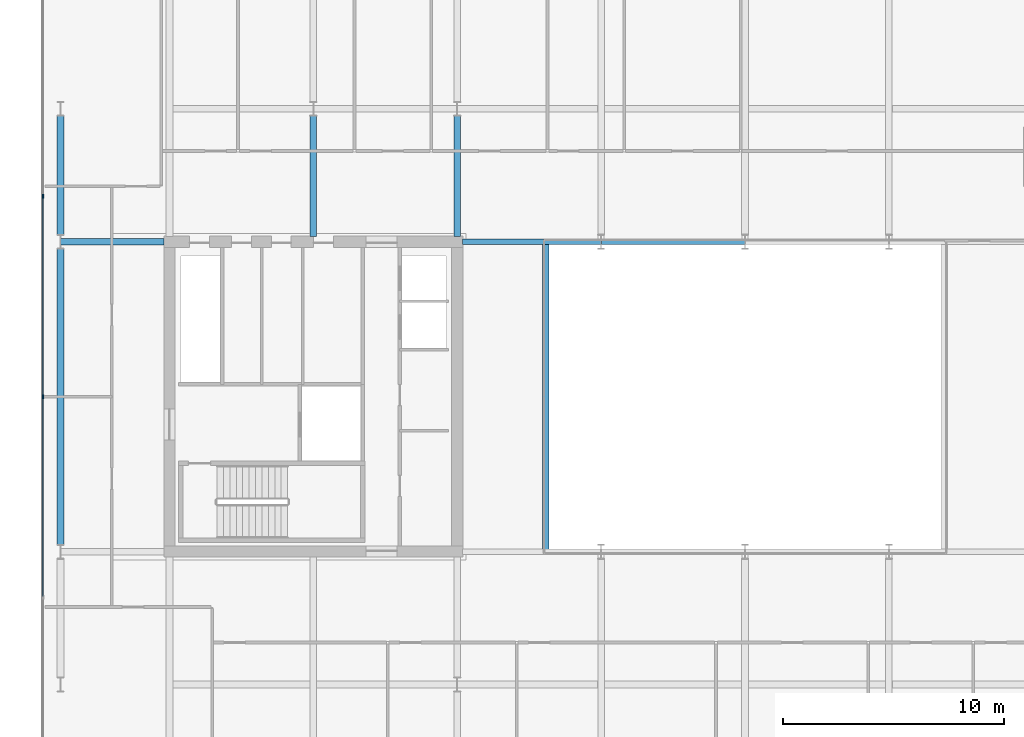
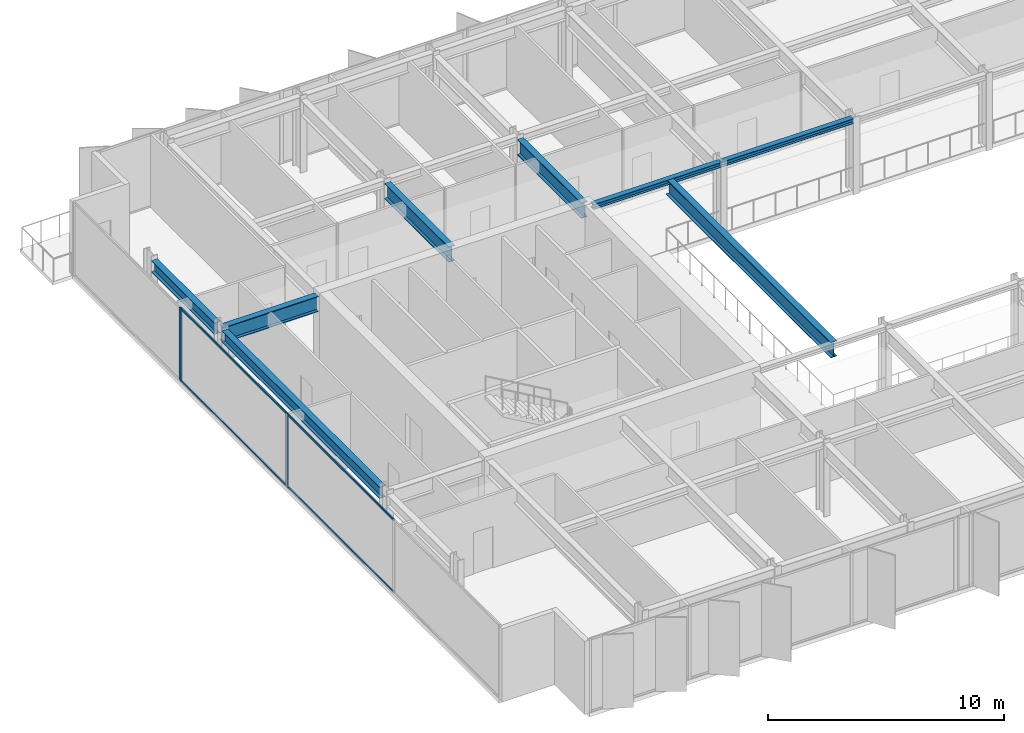
# One storey, part 5 of 21: 8 beams, 6 members, 1 element without a shape of its own.
"""IFC4 building model written with IfcOpenShell, lengths in metres."""

from ifc_helpers import new_model, si_unit, direction, frame, origin, origin_2d, place, context, subcontext, project, spatial, rectangle, i_section, extrude, material, layer, layer_set, material_profile, profile_set, type_object, element, aggregate, save


model = new_model("IFC4")

# Units and contexts
model_context = context("Model", 3, precision=1e-05, world=origin(), true_north=direction((0.0, 1.0)))
body_context = subcontext(model_context, "Body", "Model", "MODEL_VIEW")
ifc_project = project(units=[si_unit("LENGTHUNIT", "METRE"), si_unit("AREAUNIT", "SQUARE_METRE"), si_unit("VOLUMEUNIT", "CUBIC_METRE"), si_unit("PLANEANGLEUNIT", "RADIAN"), si_unit("MASSUNIT", "GRAM", prefix="KILO")], contexts=[model_context])

# Site, building, storey
site_placement = place(None, origin())
site = spatial("IfcSite", under=ifc_project, at=site_placement, CompositionType="ELEMENT")
building_placement = place(site_placement, origin())
building = spatial("IfcBuilding", under=site, at=building_placement, Name="Putna Gate Headquarters", CompositionType="ELEMENT")
storey_placement = place(building_placement, frame((0.0, 0.0, 278.39990234375)))
storey = spatial("IfcBuildingStorey", under=building, at=storey_placement, Name="L70", CompositionType="ELEMENT", Elevation=278.39990234375)

# Beams
ifc_material_1 = material(Name="Steel S355J2", Category="steel")
ifc_material_profile_1 = material_profile(ifc_material_1, i_section(OverallWidth=0.260009765625, OverallDepth=0.260009765625, WebThickness=0.010009765625, FlangeThickness=0.017578125, at=origin_2d()), Name="Steel S355J2")
ifc_profile_set_1 = profile_set([ifc_material_profile_1], Name="Steel S355J2")
beam_type_1 = type_object("IfcBeamType", Name="BM-ATRIUM-HEB260", PredefinedType="BEAM", material=ifc_profile_set_1)
beam_1_placement = place(storey_placement, frame((26.235107421875, 33.0, 3.658203125), z_axis=(1.0, 0.0, 0.0), x_axis=(0.0, 1.0, 0.0)))
element("IfcBeam", 1, at=beam_1_placement, inside=storey, type_object=beam_type_1, Name="L70 Atrium Edge Beam AN1", PredefinedType="BEAM", context=body_context, shape_type="SweptSolid", body=[
    extrude(i_section(OverallWidth=0.260009765625, OverallDepth=0.260009765625, WebThickness=0.010009765625, FlangeThickness=0.017578125, at=origin_2d()), origin(), (0.0, 0.0, 1.0), 6.2587890625),
])
beam_2_placement = place(storey_placement, frame((32.506103515625, 33.0, 3.658203125), z_axis=(1.0, 0.0, 0.0), x_axis=(0.0, 1.0, 0.0)))
element("IfcBeam", 2, at=beam_2_placement, inside=storey, type_object=beam_type_1, Name="L70 Atrium Edge Beam AN2", PredefinedType="BEAM", context=body_context, shape_type="SweptSolid", body=[
    extrude(i_section(OverallWidth=0.260009765625, OverallDepth=0.260009765625, WebThickness=0.010009765625, FlangeThickness=0.017578125, at=origin_2d()), origin(), (0.0, 0.0, 1.0), 6.48779296875),
])
ifc_material_profile_2 = material_profile(ifc_material_1, i_section(OverallWidth=0.300048828125, OverallDepth=0.800048828125, WebThickness=0.017578125, FlangeThickness=0.032958984375, at=origin_2d()), Name="Steel S355J2")
ifc_profile_set_2 = profile_set([ifc_material_profile_2], Name="Steel S355J2")
beam_type_2 = type_object("IfcBeamType", Name="BM-GIRD-P-HEB800", PredefinedType="USERDEFINED", material=ifc_profile_set_2)
beam_3_placement = place(storey_placement, frame((8.0859375, 33.0, 3.38818359375), z_axis=(1.0, 0.0, 0.0), x_axis=(0.0, 1.0, 0.0)))
element("IfcBeam", 3, at=beam_3_placement, inside=storey, type_object=beam_type_2, Name="L70 West Wing Girder Y33", ObjectType="GIRDER", PredefinedType="USERDEFINED", context=body_context, shape_type="SweptSolid", body=[
    extrude(i_section(OverallWidth=0.300048828125, OverallDepth=0.800048828125, WebThickness=0.017578125, FlangeThickness=0.032958984375, at=origin_2d()), origin(), (0.0, 0.0, 1.0), 4.678955078125),
])
for number, where, z_axis, x_axis, name in (
    (4, (19.5, 33.235107421875, 3.38818359375), (0.0, 1.0, 0.0), (-1.0, 0.0, 0.0), "L70 North Primary Girder X19-1"),
    (5, (26.0, 33.235107421875, 3.38818359375), (0.0, 1.0, 0.0), (-1.0, 0.0, 0.0), "L70 North Primary Girder X26-1"),
):
    element("IfcBeam", number, at=place(storey_placement, frame(where, z_axis=z_axis, x_axis=x_axis)), inside=storey, type_object=beam_type_2, Name=name, ObjectType="GIRDER", PredefinedType="USERDEFINED", context=body_context, shape_type="SweptSolid", body=[
        extrude(i_section(OverallWidth=0.300048828125, OverallDepth=0.800048828125, WebThickness=0.017578125, FlangeThickness=0.032958984375, at=origin_2d()), origin(), (0.0, 0.0, 1.0), 5.44287109375),
    ])
beam_4_placement = place(storey_placement, frame((30.0, 19.010009765625, 3.38818359375), z_axis=(0.0, 1.0, 0.0), x_axis=(-1.0, 0.0, 0.0)))
element("IfcBeam", 6, at=beam_4_placement, inside=storey, type_object=beam_type_2, Name="L70 Atrium Trim Girder AW", ObjectType="GIRDER", PredefinedType="USERDEFINED", context=body_context, shape_type="SweptSolid", body=[
    extrude(i_section(OverallWidth=0.300048828125, OverallDepth=0.800048828125, WebThickness=0.017578125, FlangeThickness=0.032958984375, at=origin_2d()), origin(), (0.0, 0.0, 1.0), 13.97998046875),
])
ifc_material_profile_3 = material_profile(ifc_material_1, i_section(OverallWidth=0.300048828125, OverallDepth=0.590087890625, WebThickness=0.012939453125, FlangeThickness=0.02490234375, at=origin_2d()), Name="Steel S355J2")
ifc_profile_set_3 = profile_set([ifc_material_profile_3], Name="Steel S355J2")
beam_type_3 = type_object("IfcBeamType", Name="BM-SPAN-Z4-HEA600", PredefinedType="SPANDREL", material=ifc_profile_set_3)
beam_5_placement = place(storey_placement, frame((8.080078125, 19.322021484375, 3.4931640625), z_axis=(0.0, 1.0, 0.0), x_axis=(-1.0, 0.0, 0.0)))
element("IfcBeam", 7, at=beam_5_placement, inside=storey, type_object=beam_type_3, Name="L70 W End Spandrel 2", PredefinedType="SPANDREL", context=body_context, shape_type="SweptSolid", body=[
    extrude(i_section(OverallWidth=0.300048828125, OverallDepth=0.590087890625, WebThickness=0.012939453125, FlangeThickness=0.02490234375, at=origin_2d()), origin(), (0.0, 0.0, 1.0), 13.35595703125),
])
beam_6_placement = place(storey_placement, frame((8.080078125, 33.322021484375, 3.4931640625), z_axis=(0.0, 1.0, 0.0), x_axis=(-1.0, 0.0, 0.0)))
element("IfcBeam", 8, at=beam_6_placement, inside=storey, type_object=beam_type_3, Name="L70 W End Spandrel 3", PredefinedType="SPANDREL", context=body_context, shape_type="SweptSolid", body=[
    extrude(i_section(OverallWidth=0.300048828125, OverallDepth=0.590087890625, WebThickness=0.012939453125, FlangeThickness=0.02490234375, at=origin_2d()), origin(), (0.0, 0.0, 1.0), 5.35595703125),
])

# Curtain wall, members
ifc_material_2 = material(Name="Anodised bronze aluminium curtain wall", Category="aluminium")
ifc_layer = layer(ifc_material_2, 0.179931640625)
ifc_layer_set = layer_set([ifc_layer], Name="Anodised bronze aluminium curtain wall")
curtain_wall_type = type_object("IfcCurtainWallType", Name="CW-SYS-Z5", PredefinedType="USERDEFINED", material=ifc_layer_set)
curtain_wall_placement = place(storey_placement, origin())
curtain_wall = element("IfcCurtainWall", 9, at=curtain_wall_placement, inside=storey, type_object=curtain_wall_type, Name="L70 West Curtain Wall", ObjectType="STICK CURTAIN WALL", PredefinedType="USERDEFINED")
ifc_material_3 = material(Name="Anodised bronze aluminium EN AW-6060", Category="aluminium")
ifc_material_profile_4 = material_profile(ifc_material_3, rectangle(XDim=0.070068359375, YDim=0.179931640625, at=origin_2d()), Name="Anodised bronze aluminium EN AW-6060")
ifc_profile_set_4 = profile_set([ifc_material_profile_4], Name="Anodised bronze aluminium EN AW-6060")
member_type_1 = type_object("IfcMemberType", Name="MULL-CWM-5", PredefinedType="MULLION", material=ifc_profile_set_4)
member_1_placement = place(storey_placement, frame((7.280029296875, 26.0, 0.0), z_axis=(0.0, 0.0, 1.0), x_axis=(-1.0, 0.0, 0.0)))
member_1 = element("IfcMember", 10, at=member_1_placement, type_object=member_type_1, Name="CWS-5 mullion 3", PredefinedType="MULLION", context=body_context, shape_type="SweptSolid", body=[
    extrude(rectangle(XDim=0.070068359375, YDim=0.179931640625, at=origin_2d()), origin(), (0.0, 0.0, 1.0), 3.7880859375),
])
member_2_placement = place(storey_placement, frame((7.280029296875, 35.050048828125, 0.0), z_axis=(0.0, 0.0, 1.0), x_axis=(-1.0, 0.0, 0.0)))
member_2 = element("IfcMember", 11, at=member_2_placement, type_object=member_type_1, Name="CWS-5 mullion 4", PredefinedType="MULLION", context=body_context, shape_type="SweptSolid", body=[
    extrude(rectangle(XDim=0.070068359375, YDim=0.179931640625, at=origin_2d()), origin(), (0.0, 0.0, 1.0), 3.7880859375),
])
ifc_material_profile_5 = material_profile(ifc_material_3, rectangle(XDim=0.06005859375, YDim=0.10009765625, at=origin_2d()), Name="Anodised bronze aluminium EN AW-6060")
ifc_profile_set_5 = profile_set([ifc_material_profile_5], Name="Anodised bronze aluminium EN AW-6060")
member_type_2 = type_object("IfcMemberType", Name="TRAN-CWT-5", PredefinedType="USERDEFINED", material=ifc_profile_set_5)
member_3_placement = place(storey_placement, frame((7.280029296875, 16.985107421875, 0.030029296875), z_axis=(0.0, 1.0, 0.0), x_axis=(-1.0, 0.0, 0.0)))
member_3 = element("IfcMember", 12, at=member_3_placement, type_object=member_type_2, Name="CWS-5 transom 2.1", ObjectType="TRANSOM", PredefinedType="USERDEFINED", context=body_context, shape_type="SweptSolid", body=[
    extrude(rectangle(XDim=0.06005859375, YDim=0.10009765625, at=origin_2d()), origin(), (0.0, 0.0, 1.0), 8.97998046875),
])
member_4_placement = place(storey_placement, frame((7.280029296875, 16.985107421875, 3.758056640625), z_axis=(0.0, 1.0, 0.0), x_axis=(-1.0, 0.0, 0.0)))
member_4 = element("IfcMember", 13, at=member_4_placement, type_object=member_type_2, Name="CWS-5 transom 2.2", ObjectType="TRANSOM", PredefinedType="USERDEFINED", context=body_context, shape_type="SweptSolid", body=[
    extrude(rectangle(XDim=0.06005859375, YDim=0.10009765625, at=origin_2d()), origin(), (0.0, 0.0, 1.0), 8.97998046875),
])
member_5_placement = place(storey_placement, frame((7.280029296875, 26.034912109375, 0.030029296875), z_axis=(0.0, 1.0, 0.0), x_axis=(-1.0, 0.0, 0.0)))
member_5 = element("IfcMember", 14, at=member_5_placement, type_object=member_type_2, Name="CWS-5 transom 3.1", ObjectType="TRANSOM", PredefinedType="USERDEFINED", context=body_context, shape_type="SweptSolid", body=[
    extrude(rectangle(XDim=0.06005859375, YDim=0.10009765625, at=origin_2d()), origin(), (0.0, 0.0, 1.0), 8.97998046875),
])
member_6_placement = place(storey_placement, frame((7.280029296875, 26.034912109375, 3.758056640625), z_axis=(0.0, 1.0, 0.0), x_axis=(-1.0, 0.0, 0.0)))
member_6 = element("IfcMember", 15, at=member_6_placement, type_object=member_type_2, Name="CWS-5 transom 3.2", ObjectType="TRANSOM", PredefinedType="USERDEFINED", context=body_context, shape_type="SweptSolid", body=[
    extrude(rectangle(XDim=0.06005859375, YDim=0.10009765625, at=origin_2d()), origin(), (0.0, 0.0, 1.0), 8.97998046875),
])
aggregate(curtain_wall, [member_1, member_2, member_3, member_4, member_5, member_6])

save(model, "model.ifc")
